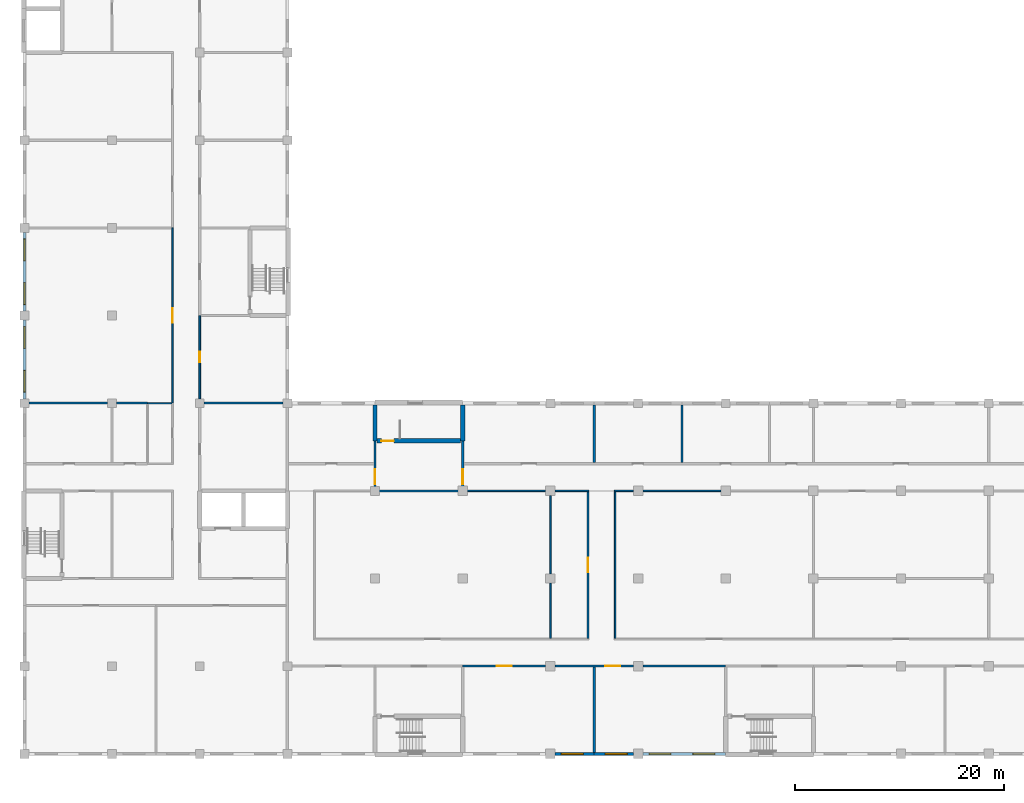
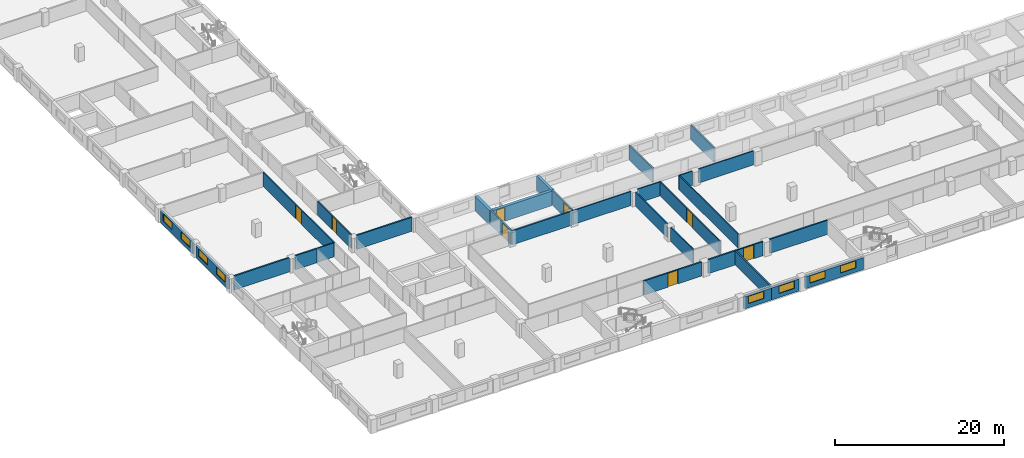
# One storey, part 31 of 48: 31 walls, 8 doors, 8 windows, 16 openings.
"""IFC4 building model written with IfcOpenShell, lengths in metres."""

from ifc_helpers import new_model, si_unit, direction, frame, frame_2d, origin, place, context, subcontext, project, spatial, rectangle, extrude, material, layer, layer_set, type_object, element, fill, save


model = new_model("IFC4")

# Units and contexts
model_context = context("Model", 3, precision=1e-05, world=origin(), true_north=direction((0.0, 1.0)))
body_context = subcontext(model_context, "Body", "Model", "MODEL_VIEW")
ifc_project = project(units=[si_unit("LENGTHUNIT", "METRE"), si_unit("AREAUNIT", "SQUARE_METRE"), si_unit("VOLUMEUNIT", "CUBIC_METRE"), si_unit("PLANEANGLEUNIT", "RADIAN"), si_unit("MASSUNIT", "GRAM", prefix="KILO")], contexts=[model_context])

# Site, building, storey
site_placement = place(None, origin())
site = spatial("IfcSite", under=ifc_project, at=site_placement, CompositionType="ELEMENT")
building_placement = place(site_placement, origin())
building = spatial("IfcBuilding", under=site, at=building_placement, Name="Yavir Park General Hospital", CompositionType="ELEMENT")
storey_placement = place(building_placement, frame((0.0, 0.0, 12.89990234375)))
storey = spatial("IfcBuildingStorey", under=building, at=storey_placement, Name="I02", CompositionType="ELEMENT", Elevation=12.89990234375)

# Wall
ifc_material_1 = material(Name="Double gypsum board fire partition on steel studs", Category="steel")
ifc_layer_1 = layer(ifc_material_1, 0.199951171875)
ifc_layer_set_1 = layer_set([ifc_layer_1], Name="Double gypsum board fire partition on steel studs")
wall_type_1 = type_object("IfcWallType", Name="Fire-rated partition 200, EI 60", PredefinedType="PARTITIONING", material=ifc_layer_set_1)
wall_1_placement = place(storey_placement, frame((33.60009765625, 25.199951171875, 0.0), z_axis=(0.0, 0.0, 1.0), x_axis=(1.0, 0.0, 0.0)))
element("IfcWall", 1, at=wall_1_placement, inside=storey, type_object=wall_type_1, Name="FP20 I02-045", PredefinedType="PARTITIONING", context=body_context, shape_type="SweptSolid", body=[
    extrude(rectangle(XDim=8.39990234375, YDim=0.199951171875, at=frame_2d((4.199951171875, 0.0))), origin(), (0.0, 0.0, 1.0), 2.0400390625),
])

# Wall, opening, door
wall_2_placement = place(storey_placement, frame((33.60009765625, 25.300048828125, 0.0), z_axis=(0.0, 0.0, 1.0), x_axis=(0.0, 1.0, 0.0)))
wall_2 = element("IfcWall", 2, at=wall_2_placement, inside=storey, type_object=wall_type_1, Name="FP20 I02-141", PredefinedType="PARTITIONING", context=body_context, shape_type="SweptSolid", body=[
    extrude(rectangle(XDim=4.699951171875, YDim=0.199951171875, at=frame_2d((2.35009765625, 0.0))), origin(), (0.0, 0.0, 1.0), 2.10009765625),
])
opening_1_placement = place(wall_2_placement, frame((0.550048828125, 0.0, 0.0)))
opening_1 = element("IfcOpeningElement", 3, at=opening_1_placement, cuts=wall_2, Name="Opening I02.D080", PredefinedType="OPENING", context=body_context, shape_type="SweptSolid", body=[
    extrude(rectangle(XDim=1.39990234375, YDim=2.0, at=frame_2d((0.699951171875, 1.0))), frame((0.0, 0.10986328125, 0.0), z_axis=(0.0, -1.0, 0.0), x_axis=(1.0, 0.0, 0.0)), (0.0, 0.0, 1.0), 0.219970703125),
])
ifc_material_2 = material(Name="Steel frame, fire-resisting leaves with vision panels", Category="steel")
door_type_1 = type_object("IfcDoorType", Name="Double fire door with vision panels 1400 x 2000, EI 60", OperationType="DOUBLE_DOOR_SINGLE_SWING", PredefinedType="DOOR", material=ifc_material_2)
door_1_placement = place(opening_1_placement, origin())
door_1 = element("IfcDoor", 4, at=door_1_placement, inside=storey, type_object=door_type_1, Name="I02.D080", OperationType="SINGLE_SWING_LEFT", OverallHeight=2.0, OverallWidth=1.39990234375, PredefinedType="DOOR", context=body_context, shape_type="SweptSolid", body=[
    extrude(rectangle(XDim=1.39990234375, YDim=2.0, at=frame_2d((0.699951171875, 1.0))), frame((0.0, 0.030029296875, 0.0), z_axis=(0.0, -1.0, 0.0), x_axis=(1.0, 0.0, 0.0)), (0.0, 0.0, 1.0), 0.06005859375),
])
fill(opening_1, door_1)

wall_3_placement = place(storey_placement, frame((42.0, 25.300048828125, 0.0), z_axis=(0.0, 0.0, 1.0), x_axis=(0.0, 1.0, 0.0)))
wall_3 = element("IfcWall", 5, at=wall_3_placement, inside=storey, type_object=wall_type_1, Name="FP20 I02-145", PredefinedType="PARTITIONING", context=body_context, shape_type="SweptSolid", body=[
    extrude(rectangle(XDim=4.699951171875, YDim=0.199951171875, at=frame_2d((2.35009765625, 0.0))), origin(), (0.0, 0.0, 1.0), 2.10009765625),
])
opening_2_placement = place(wall_3_placement, frame((0.550048828125, 0.0, 0.0)))
opening_2 = element("IfcOpeningElement", 6, at=opening_2_placement, cuts=wall_3, Name="Opening I02.D081", PredefinedType="OPENING", context=body_context, shape_type="SweptSolid", body=[
    extrude(rectangle(XDim=1.39990234375, YDim=2.0, at=frame_2d((0.699951171875, 1.0))), frame((0.0, 0.10986328125, 0.0), z_axis=(0.0, -1.0, 0.0), x_axis=(1.0, 0.0, 0.0)), (0.0, 0.0, 1.0), 0.219970703125),
])
door_2_placement = place(opening_2_placement, origin())
door_2 = element("IfcDoor", 7, at=door_2_placement, inside=storey, type_object=door_type_1, Name="I02.D081", OperationType="SINGLE_SWING_RIGHT", OverallHeight=2.0, OverallWidth=1.39990234375, PredefinedType="DOOR", context=body_context, shape_type="SweptSolid", body=[
    extrude(rectangle(XDim=1.39990234375, YDim=2.0, at=frame_2d((0.699951171875, 1.0))), frame((0.0, 0.030029296875, 0.0), z_axis=(0.0, -1.0, 0.0), x_axis=(1.0, 0.0, 0.0)), (0.0, 0.0, 1.0), 0.06005859375),
])
fill(opening_2, door_2)

# Walls
ifc_material_3 = material(Name="Gypsum board partition on steel studs", Category="steel")
ifc_layer_2 = layer(ifc_material_3, 0.14990234375)
ifc_layer_set_2 = layer_set([ifc_layer_2], Name="Gypsum board partition on steel studs")
wall_type_2 = type_object("IfcWallType", Name="Gypsum board partition 150", PredefinedType="PARTITIONING", material=ifc_layer_set_2)
wall_4_placement = place(storey_placement, frame((42.0, 25.199951171875, 0.0), z_axis=(0.0, 0.0, 1.0), x_axis=(1.0, 0.0, 0.0)))
element("IfcWall", 8, at=wall_4_placement, inside=storey, type_object=wall_type_2, Name="P15 I02-046", PredefinedType="PARTITIONING", context=body_context, shape_type="SweptSolid", body=[
    extrude(rectangle(XDim=7.949951171875, YDim=0.14990234375, at=frame_2d((3.97509765625, 0.0))), origin(), (0.0, 0.0, 1.0), 2.0400390625),
])
wall_5_placement = place(storey_placement, frame((50.85009765625, 25.199951171875, 0.0), z_axis=(0.0, 0.0, 1.0), x_axis=(1.0, 0.0, 0.0)))
element("IfcWall", 9, at=wall_5_placement, inside=storey, type_object=wall_type_2, Name="P15 I02-047", PredefinedType="PARTITIONING", context=body_context, shape_type="SweptSolid", body=[
    extrude(rectangle(XDim=3.224853515625, YDim=0.14990234375, at=frame_2d((1.6123046875, 0.0))), origin(), (0.0, 0.0, 1.0), 2.0400390625),
])
wall_6_placement = place(storey_placement, frame((56.52490234375, 25.199951171875, 0.0), z_axis=(0.0, 0.0, 1.0), x_axis=(1.0, 0.0, 0.0)))
element("IfcWall", 10, at=wall_6_placement, inside=storey, type_object=wall_type_2, Name="P15 I02-048", PredefinedType="PARTITIONING", context=body_context, shape_type="SweptSolid", body=[
    extrude(rectangle(XDim=1.8251953125, YDim=0.14990234375, at=frame_2d((0.91259765625, 0.0))), origin(), (0.0, 0.0, 1.0), 2.0400390625),
])
wall_7_placement = place(storey_placement, frame((59.25, 25.199951171875, 0.0), z_axis=(0.0, 0.0, 1.0), x_axis=(1.0, 0.0, 0.0)))
element("IfcWall", 11, at=wall_7_placement, inside=storey, type_object=wall_type_2, Name="P15 I02-049", PredefinedType="PARTITIONING", context=body_context, shape_type="SweptSolid", body=[
    extrude(rectangle(XDim=7.5, YDim=0.14990234375, at=frame_2d((3.75, 0.0))), origin(), (0.0, 0.0, 1.0), 2.0400390625),
])

# Wall, opening, door
wall_8_placement = place(storey_placement, frame((14.199951171875, 33.60009765625, 0.0), z_axis=(0.0, 0.0, 1.0), x_axis=(0.0, 1.0, 0.0)))
wall_8 = element("IfcWall", 12, at=wall_8_placement, inside=storey, type_object=wall_type_2, Name="P15 I02-113", PredefinedType="PARTITIONING", context=body_context, shape_type="SweptSolid", body=[
    extrude(rectangle(XDim=16.7998046875, YDim=0.14990234375, at=frame_2d((8.39990234375, 0.0))), origin(), (0.0, 0.0, 1.0), 2.0400390625),
])
opening_3_placement = place(wall_8_placement, frame((7.699951171875, 0.0, 0.0)))
opening_3 = element("IfcOpeningElement", 13, at=opening_3_placement, cuts=wall_8, Name="Opening I02.D057", PredefinedType="OPENING", context=body_context, shape_type="SweptSolid", body=[
    extrude(rectangle(XDim=1.39990234375, YDim=2.0, at=frame_2d((0.699951171875, 1.0))), frame((0.0, 0.0849609375, 0.0), z_axis=(0.0, -1.0, 0.0), x_axis=(1.0, 0.0, 0.0)), (0.0, 0.0, 1.0), 0.169921875),
])
ifc_material_4 = material(Name="Hollow metal frame, solid-core timber leaf", Category="wood")
door_type_2 = type_object("IfcDoorType", Name="Double swing door 1400 x 2000", OperationType="DOUBLE_DOOR_SINGLE_SWING", PredefinedType="DOOR", material=ifc_material_4)
door_3_placement = place(opening_3_placement, origin())
door_3 = element("IfcDoor", 14, at=door_3_placement, inside=storey, type_object=door_type_2, Name="I02.D057", OperationType="SINGLE_SWING_RIGHT", OverallHeight=2.0, OverallWidth=1.39990234375, PredefinedType="DOOR", context=body_context, shape_type="SweptSolid", body=[
    extrude(rectangle(XDim=1.39990234375, YDim=2.0, at=frame_2d((0.699951171875, 1.0))), frame((0.0, 0.02490234375, 0.0), z_axis=(0.0, -1.0, 0.0), x_axis=(1.0, 0.0, 0.0)), (0.0, 0.0, 1.0), 0.050048828125),
])
fill(opening_3, door_3)

wall_9_placement = place(storey_placement, frame((16.800048828125, 34.02490234375, 0.0), z_axis=(0.0, 0.0, 1.0), x_axis=(0.0, 1.0, 0.0)))
wall_9 = element("IfcWall", 15, at=wall_9_placement, inside=storey, type_object=wall_type_2, Name="P15 I02-120", PredefinedType="PARTITIONING", context=body_context, shape_type="SweptSolid", body=[
    extrude(rectangle(XDim=7.97509765625, YDim=0.14990234375, at=frame_2d((3.987548828125, 0.0))), origin(), (0.0, 0.0, 1.0), 2.0400390625),
])
opening_4_placement = place(wall_9_placement, frame((3.487548828125, 0.0, 0.0)))
opening_4 = element("IfcOpeningElement", 16, at=opening_4_placement, cuts=wall_9, Name="Opening I02.D066", PredefinedType="OPENING", context=body_context, shape_type="SweptSolid", body=[
    extrude(rectangle(XDim=1.0, YDim=2.0, at=frame_2d((0.5, 1.0))), frame((0.0, 0.0849609375, 0.0), z_axis=(0.0, -1.0, 0.0), x_axis=(1.0, 0.0, 0.0)), (0.0, 0.0, 1.0), 0.169921875),
])
ifc_material_5 = material(Name="Hollow metal frame, solid-core timber leaf", Category="wood")
door_type_3 = type_object("IfcDoorType", Name="Single swing door 1000 x 2000", OperationType="SINGLE_SWING_LEFT", PredefinedType="DOOR", material=ifc_material_5)
door_4_placement = place(opening_4_placement, origin())
door_4 = element("IfcDoor", 17, at=door_4_placement, inside=storey, type_object=door_type_3, Name="I02.D066", OperationType="SINGLE_SWING_LEFT", OverallHeight=2.0, OverallWidth=1.0, PredefinedType="DOOR", context=body_context, shape_type="SweptSolid", body=[
    extrude(rectangle(XDim=1.0, YDim=2.0, at=frame_2d((0.5, 1.0))), frame((0.0, 0.02490234375, 0.0), z_axis=(0.0, -1.0, 0.0), x_axis=(1.0, 0.0, 0.0)), (0.0, 0.0, 1.0), 0.050048828125),
])
fill(opening_4, door_4)

# Walls
wall_10_placement = place(storey_placement, frame((50.39990234375, 11.074951171875, 0.0), z_axis=(0.0, 0.0, 1.0), x_axis=(0.0, 1.0, 0.0)))
element("IfcWall", 18, at=wall_10_placement, inside=storey, type_object=wall_type_2, Name="P15 I02-147", PredefinedType="PARTITIONING", context=body_context, shape_type="SweptSolid", body=[
    extrude(rectangle(XDim=5.275146484375, YDim=0.14990234375, at=frame_2d((2.6376953125, 0.0))), origin(), (0.0, 0.0, 1.0), 2.0400390625),
])
wall_11_placement = place(storey_placement, frame((50.39990234375, 17.25, 0.0), z_axis=(0.0, 0.0, 1.0), x_axis=(0.0, 1.0, 0.0)))
element("IfcWall", 19, at=wall_11_placement, inside=storey, type_object=wall_type_2, Name="P15 I02-148", PredefinedType="PARTITIONING", context=body_context, shape_type="SweptSolid", body=[
    extrude(rectangle(XDim=7.5, YDim=0.14990234375, at=frame_2d((3.75, 0.0))), origin(), (0.0, 0.0, 1.0), 2.0400390625),
])

# Wall, opening, door
wall_12_placement = place(storey_placement, frame((54.0, 11.074951171875, 0.0), z_axis=(0.0, 0.0, 1.0), x_axis=(0.0, 1.0, 0.0)))
wall_12 = element("IfcWall", 20, at=wall_12_placement, inside=storey, type_object=wall_type_2, Name="P15 I02-149", PredefinedType="PARTITIONING", context=body_context, shape_type="SweptSolid", body=[
    extrude(rectangle(XDim=14.050048828125, YDim=0.14990234375, at=frame_2d((7.02490234375, 0.0))), origin(), (0.0, 0.0, 1.0), 2.0400390625),
])
opening_5_placement = place(wall_12_placement, frame((6.324951171875, 0.0, 0.0)))
opening_5 = element("IfcOpeningElement", 21, at=opening_5_placement, cuts=wall_12, Name="Opening I02.D082", PredefinedType="OPENING", context=body_context, shape_type="SweptSolid", body=[
    extrude(rectangle(XDim=1.39990234375, YDim=2.0, at=frame_2d((0.699951171875, 1.0))), frame((0.0, 0.0849609375, 0.0), z_axis=(0.0, -1.0, 0.0), x_axis=(1.0, 0.0, 0.0)), (0.0, 0.0, 1.0), 0.169921875),
])
door_5_placement = place(opening_5_placement, origin())
door_5 = element("IfcDoor", 22, at=door_5_placement, inside=storey, type_object=door_type_2, Name="I02.D082", OperationType="SINGLE_SWING_RIGHT", OverallHeight=2.0, OverallWidth=1.39990234375, PredefinedType="DOOR", context=body_context, shape_type="SweptSolid", body=[
    extrude(rectangle(XDim=1.39990234375, YDim=2.0, at=frame_2d((0.699951171875, 1.0))), frame((0.0, 0.02490234375, 0.0), z_axis=(0.0, -1.0, 0.0), x_axis=(1.0, 0.0, 0.0)), (0.0, 0.0, 1.0), 0.050048828125),
])
fill(opening_5, door_5)

# Wall
wall_13_placement = place(storey_placement, frame((56.60009765625, 11.074951171875, 0.0), z_axis=(0.0, 0.0, 1.0), x_axis=(0.0, 1.0, 0.0)))
element("IfcWall", 23, at=wall_13_placement, inside=storey, type_object=wall_type_2, Name="P15 I02-152", PredefinedType="PARTITIONING", context=body_context, shape_type="SweptSolid", body=[
    extrude(rectangle(XDim=14.050048828125, YDim=0.14990234375, at=frame_2d((7.02490234375, 0.0))), origin(), (0.0, 0.0, 1.0), 2.0400390625),
])

# Wall, opening, window
ifc_material_6 = material(Name="Insulated sandwich panels on a Steel S355 subframe", Category="steel")
ifc_layer_3 = layer(ifc_material_6, 0.300048828125)
ifc_layer_set_3 = layer_set([ifc_layer_3], Name="Insulated sandwich panels on a Steel S355 subframe")
wall_type_3 = type_object("IfcWallType", Name="Insulated panel service floor wall 300, E 30", PredefinedType="SOLIDWALL", material=ifc_layer_set_3)
wall_14_placement = place(storey_placement, frame((50.85009765625, 0.0, 0.0), z_axis=(0.0, 0.0, 1.0), x_axis=(1.0, 0.0, 0.0)))
wall_14 = element("IfcWall", 24, at=wall_14_placement, inside=storey, type_object=wall_type_3, Name="XW5 I02-010", PredefinedType="SOLIDWALL", context=body_context, shape_type="SweptSolid", body=[
    extrude(rectangle(XDim=3.75, YDim=0.300048828125, at=frame_2d((1.875, 0.0))), origin(), (0.0, 0.0, 1.0), 1.739990234375),
])
opening_6_placement = place(wall_14_placement, frame((0.60009765625, 0.0, 0.60009765625)))
opening_6 = element("IfcOpeningElement", 25, at=opening_6_placement, cuts=wall_14, Name="Opening LV3", PredefinedType="OPENING", context=body_context, shape_type="SweptSolid", body=[
    extrude(rectangle(XDim=2.10009765625, YDim=1.050048828125, at=frame_2d((1.050048828125, 0.52490234375))), frame((0.0, 0.159912109375, 0.0), z_axis=(0.0, -1.0, 0.0), x_axis=(1.0, 0.0, 0.0)), (0.0, 0.0, 1.0), 0.320068359375),
])
ifc_material_7 = material(Name="Anodised aluminium louvre blades in a deep frame", Category="aluminium")
window_type = type_object("IfcWindowType", Name="Interstitial floor louvre 2100 x 1050", PartitioningType="SINGLE_PANEL", PredefinedType="WINDOW", material=ifc_material_7)
window_1_placement = place(opening_6_placement, origin())
window_1 = element("IfcWindow", 26, at=window_1_placement, inside=storey, type_object=window_type, Name="LV3 I02-011", OverallHeight=1.050048828125, OverallWidth=2.10009765625, PartitioningType="SINGLE_PANEL", PredefinedType="WINDOW", context=body_context, shape_type="SweptSolid", body=[
    extrude(rectangle(XDim=2.10009765625, YDim=1.050048828125, at=frame_2d((1.050048828125, 0.52490234375))), frame((0.0, 0.074951171875, 0.0), z_axis=(0.0, -1.0, 0.0), x_axis=(1.0, 0.0, 0.0)), (0.0, 0.0, 1.0), 0.14990234375),
])
fill(opening_6, window_1)

wall_15_placement = place(storey_placement, frame((54.60009765625, 0.0, 0.0), z_axis=(0.0, 0.0, 1.0), x_axis=(1.0, 0.0, 0.0)))
wall_15 = element("IfcWall", 27, at=wall_15_placement, inside=storey, type_object=wall_type_3, Name="XW5 I02-011", PredefinedType="SOLIDWALL", context=body_context, shape_type="SweptSolid", body=[
    extrude(rectangle(XDim=3.75, YDim=0.300048828125, at=frame_2d((1.875, 0.0))), origin(), (0.0, 0.0, 1.0), 1.739990234375),
])
opening_7_placement = place(wall_15_placement, frame((1.050048828125, 0.0, 0.60009765625)))
opening_7 = element("IfcOpeningElement", 28, at=opening_7_placement, cuts=wall_15, Name="Opening LV3", PredefinedType="OPENING", context=body_context, shape_type="SweptSolid", body=[
    extrude(rectangle(XDim=2.10009765625, YDim=1.050048828125, at=frame_2d((1.050048828125, 0.52490234375))), frame((0.0, 0.159912109375, 0.0), z_axis=(0.0, -1.0, 0.0), x_axis=(1.0, 0.0, 0.0)), (0.0, 0.0, 1.0), 0.320068359375),
])
window_2_placement = place(opening_7_placement, origin())
window_2 = element("IfcWindow", 29, at=window_2_placement, inside=storey, type_object=window_type, Name="LV3 I02-012", OverallHeight=1.050048828125, OverallWidth=2.10009765625, PartitioningType="SINGLE_PANEL", PredefinedType="WINDOW", context=body_context, shape_type="SweptSolid", body=[
    extrude(rectangle(XDim=2.10009765625, YDim=1.050048828125, at=frame_2d((1.050048828125, 0.52490234375))), frame((0.0, 0.074951171875, 0.0), z_axis=(0.0, -1.0, 0.0), x_axis=(1.0, 0.0, 0.0)), (0.0, 0.0, 1.0), 0.14990234375),
])
fill(opening_7, window_2)

# Wall, openings, windows
wall_16_placement = place(storey_placement, frame((59.25, 0.0, 0.0), z_axis=(0.0, 0.0, 1.0), x_axis=(1.0, 0.0, 0.0)))
wall_16 = element("IfcWall", 30, at=wall_16_placement, inside=storey, type_object=wall_type_3, Name="XW5 I02-012", PredefinedType="SOLIDWALL", context=body_context, shape_type="SweptSolid", body=[
    extrude(rectangle(XDim=7.949951171875, YDim=0.300048828125, at=frame_2d((3.97509765625, 0.0))), origin(), (0.0, 0.0, 1.0), 1.739990234375),
])
opening_8_placement = place(wall_16_placement, frame((0.60009765625, 0.0, 0.60009765625)))
opening_8 = element("IfcOpeningElement", 31, at=opening_8_placement, cuts=wall_16, Name="Opening LV3", PredefinedType="OPENING", context=body_context, shape_type="SweptSolid", body=[
    extrude(rectangle(XDim=2.10009765625, YDim=1.050048828125, at=frame_2d((1.050048828125, 0.52490234375))), frame((0.0, 0.159912109375, 0.0), z_axis=(0.0, -1.0, 0.0), x_axis=(1.0, 0.0, 0.0)), (0.0, 0.0, 1.0), 0.320068359375),
])
opening_9_placement = place(wall_16_placement, frame((4.800048828125, 0.0, 0.60009765625)))
opening_9 = element("IfcOpeningElement", 32, at=opening_9_placement, cuts=wall_16, Name="Opening LV3", PredefinedType="OPENING", context=body_context, shape_type="SweptSolid", body=[
    extrude(rectangle(XDim=2.10009765625, YDim=1.050048828125, at=frame_2d((1.050048828125, 0.52490234375))), frame((0.0, 0.159912109375, 0.0), z_axis=(0.0, -1.0, 0.0), x_axis=(1.0, 0.0, 0.0)), (0.0, 0.0, 1.0), 0.320068359375),
])
window_3_placement = place(opening_8_placement, origin())
window_3 = element("IfcWindow", 33, at=window_3_placement, inside=storey, type_object=window_type, Name="LV3 I02-013", OverallHeight=1.050048828125, OverallWidth=2.10009765625, PartitioningType="SINGLE_PANEL", PredefinedType="WINDOW", context=body_context, shape_type="SweptSolid", body=[
    extrude(rectangle(XDim=2.10009765625, YDim=1.050048828125, at=frame_2d((1.050048828125, 0.52490234375))), frame((0.0, 0.074951171875, 0.0), z_axis=(0.0, -1.0, 0.0), x_axis=(1.0, 0.0, 0.0)), (0.0, 0.0, 1.0), 0.14990234375),
])
fill(opening_8, window_3)
window_4_placement = place(opening_9_placement, origin())
window_4 = element("IfcWindow", 34, at=window_4_placement, inside=storey, type_object=window_type, Name="LV3 I02-014", OverallHeight=1.050048828125, OverallWidth=2.10009765625, PartitioningType="SINGLE_PANEL", PredefinedType="WINDOW", context=body_context, shape_type="SweptSolid", body=[
    extrude(rectangle(XDim=2.10009765625, YDim=1.050048828125, at=frame_2d((1.050048828125, 0.52490234375))), frame((0.0, 0.074951171875, 0.0), z_axis=(0.0, -1.0, 0.0), x_axis=(1.0, 0.0, 0.0)), (0.0, 0.0, 1.0), 0.14990234375),
])
fill(opening_9, window_4)

wall_17_placement = place(storey_placement, frame((0.0, 34.02490234375, 0.0), z_axis=(0.0, 0.0, 1.0), x_axis=(0.0, 1.0, 0.0)))
wall_17 = element("IfcWall", 35, at=wall_17_placement, inside=storey, type_object=wall_type_3, Name="XW5 I02-078", PredefinedType="SOLIDWALL", context=body_context, shape_type="SweptSolid", body=[
    extrude(rectangle(XDim=7.550048828125, YDim=0.300048828125, at=frame_2d((3.77490234375, 0.0))), origin(), (0.0, 0.0, 1.0), 1.739990234375),
])
opening_10_placement = place(wall_17_placement, frame((0.625, 0.0, 0.60009765625)))
opening_10 = element("IfcOpeningElement", 36, at=opening_10_placement, cuts=wall_17, Name="Opening LV3", PredefinedType="OPENING", context=body_context, shape_type="SweptSolid", body=[
    extrude(rectangle(XDim=2.10009765625, YDim=1.050048828125, at=frame_2d((1.050048828125, 0.52490234375))), frame((0.0, 0.159912109375, 0.0), z_axis=(0.0, -1.0, 0.0), x_axis=(1.0, 0.0, 0.0)), (0.0, 0.0, 1.0), 0.320068359375),
])
opening_11_placement = place(wall_17_placement, frame((4.824951171875, 0.0, 0.60009765625)))
opening_11 = element("IfcOpeningElement", 37, at=opening_11_placement, cuts=wall_17, Name="Opening LV3", PredefinedType="OPENING", context=body_context, shape_type="SweptSolid", body=[
    extrude(rectangle(XDim=2.10009765625, YDim=1.050048828125, at=frame_2d((1.050048828125, 0.52490234375))), frame((0.0, 0.159912109375, 0.0), z_axis=(0.0, -1.0, 0.0), x_axis=(1.0, 0.0, 0.0)), (0.0, 0.0, 1.0), 0.320068359375),
])
window_5_placement = place(opening_10_placement, origin())
window_5 = element("IfcWindow", 38, at=window_5_placement, inside=storey, type_object=window_type, Name="LV3 I02-067", OverallHeight=1.050048828125, OverallWidth=2.10009765625, PartitioningType="SINGLE_PANEL", PredefinedType="WINDOW", context=body_context, shape_type="SweptSolid", body=[
    extrude(rectangle(XDim=2.10009765625, YDim=1.050048828125, at=frame_2d((1.050048828125, 0.52490234375))), frame((0.0, 0.074951171875, 0.0), z_axis=(0.0, -1.0, 0.0), x_axis=(1.0, 0.0, 0.0)), (0.0, 0.0, 1.0), 0.14990234375),
])
fill(opening_10, window_5)
window_6_placement = place(opening_11_placement, origin())
window_6 = element("IfcWindow", 39, at=window_6_placement, inside=storey, type_object=window_type, Name="LV3 I02-068", OverallHeight=1.050048828125, OverallWidth=2.10009765625, PartitioningType="SINGLE_PANEL", PredefinedType="WINDOW", context=body_context, shape_type="SweptSolid", body=[
    extrude(rectangle(XDim=2.10009765625, YDim=1.050048828125, at=frame_2d((1.050048828125, 0.52490234375))), frame((0.0, 0.074951171875, 0.0), z_axis=(0.0, -1.0, 0.0), x_axis=(1.0, 0.0, 0.0)), (0.0, 0.0, 1.0), 0.14990234375),
])
fill(opening_11, window_6)

wall_18_placement = place(storey_placement, frame((0.0, 42.425048828125, 0.0), z_axis=(0.0, 0.0, 1.0), x_axis=(0.0, 1.0, 0.0)))
wall_18 = element("IfcWall", 40, at=wall_18_placement, inside=storey, type_object=wall_type_3, Name="XW5 I02-079", PredefinedType="SOLIDWALL", context=body_context, shape_type="SweptSolid", body=[
    extrude(rectangle(XDim=7.550048828125, YDim=0.300048828125, at=frame_2d((3.77490234375, 0.0))), origin(), (0.0, 0.0, 1.0), 1.739990234375),
])
opening_12_placement = place(wall_18_placement, frame((0.625, 0.0, 0.60009765625)))
opening_12 = element("IfcOpeningElement", 41, at=opening_12_placement, cuts=wall_18, Name="Opening LV3", PredefinedType="OPENING", context=body_context, shape_type="SweptSolid", body=[
    extrude(rectangle(XDim=2.10009765625, YDim=1.050048828125, at=frame_2d((1.050048828125, 0.52490234375))), frame((0.0, 0.159912109375, 0.0), z_axis=(0.0, -1.0, 0.0), x_axis=(1.0, 0.0, 0.0)), (0.0, 0.0, 1.0), 0.320068359375),
])
opening_13_placement = place(wall_18_placement, frame((4.824951171875, 0.0, 0.60009765625)))
opening_13 = element("IfcOpeningElement", 42, at=opening_13_placement, cuts=wall_18, Name="Opening LV3", PredefinedType="OPENING", context=body_context, shape_type="SweptSolid", body=[
    extrude(rectangle(XDim=2.10009765625, YDim=1.050048828125, at=frame_2d((1.050048828125, 0.52490234375))), frame((0.0, 0.159912109375, 0.0), z_axis=(0.0, -1.0, 0.0), x_axis=(1.0, 0.0, 0.0)), (0.0, 0.0, 1.0), 0.320068359375),
])
window_7_placement = place(opening_12_placement, origin())
window_7 = element("IfcWindow", 43, at=window_7_placement, inside=storey, type_object=window_type, Name="LV3 I02-069", OverallHeight=1.050048828125, OverallWidth=2.10009765625, PartitioningType="SINGLE_PANEL", PredefinedType="WINDOW", context=body_context, shape_type="SweptSolid", body=[
    extrude(rectangle(XDim=2.10009765625, YDim=1.050048828125, at=frame_2d((1.050048828125, 0.52490234375))), frame((0.0, 0.074951171875, 0.0), z_axis=(0.0, -1.0, 0.0), x_axis=(1.0, 0.0, 0.0)), (0.0, 0.0, 1.0), 0.14990234375),
])
fill(opening_12, window_7)
window_8_placement = place(opening_13_placement, origin())
window_8 = element("IfcWindow", 44, at=window_8_placement, inside=storey, type_object=window_type, Name="LV3 I02-070", OverallHeight=1.050048828125, OverallWidth=2.10009765625, PartitioningType="SINGLE_PANEL", PredefinedType="WINDOW", context=body_context, shape_type="SweptSolid", body=[
    extrude(rectangle(XDim=2.10009765625, YDim=1.050048828125, at=frame_2d((1.050048828125, 0.52490234375))), frame((0.0, 0.074951171875, 0.0), z_axis=(0.0, -1.0, 0.0), x_axis=(1.0, 0.0, 0.0)), (0.0, 0.0, 1.0), 0.14990234375),
])
fill(opening_13, window_8)

# Wall, opening, door
ifc_material_8 = material(Name="Clay block masonry infill", Category="masonry")
ifc_layer_4 = layer(ifc_material_8, 0.199951171875)
ifc_layer_set_4 = layer_set([ifc_layer_4], Name="Clay block masonry infill")
wall_type_4 = type_object("IfcWallType", Name="Masonry infill wall 200", PredefinedType="SOLIDWALL", material=ifc_layer_set_4)
wall_19_placement = place(storey_placement, frame((42.0, 8.39990234375, 0.0), z_axis=(0.0, 0.0, 1.0), x_axis=(1.0, 0.0, 0.0)))
wall_19 = element("IfcWall", 45, at=wall_19_placement, inside=storey, type_object=wall_type_4, Name="MW20 I02-007", PredefinedType="SOLIDWALL", context=body_context, shape_type="SweptSolid", body=[
    extrude(rectangle(XDim=7.949951171875, YDim=0.199951171875, at=frame_2d((3.97509765625, 0.0))), origin(), (0.0, 0.0, 1.0), 2.0400390625),
])
opening_14_placement = place(wall_19_placement, frame((3.27490234375, 0.0, 0.0)))
opening_14 = element("IfcOpeningElement", 46, at=opening_14_placement, cuts=wall_19, Name="Opening I02.D007", PredefinedType="OPENING", context=body_context, shape_type="SweptSolid", body=[
    extrude(rectangle(XDim=1.39990234375, YDim=2.0, at=frame_2d((0.699951171875, 1.0))), frame((0.0, 0.10986328125, 0.0), z_axis=(0.0, -1.0, 0.0), x_axis=(1.0, 0.0, 0.0)), (0.0, 0.0, 1.0), 0.219970703125),
])
door_6_placement = place(opening_14_placement, origin())
door_6 = element("IfcDoor", 47, at=door_6_placement, inside=storey, type_object=door_type_2, Name="I02.D007", OperationType="SINGLE_SWING_LEFT", OverallHeight=2.0, OverallWidth=1.39990234375, PredefinedType="DOOR", context=body_context, shape_type="SweptSolid", body=[
    extrude(rectangle(XDim=1.39990234375, YDim=2.0, at=frame_2d((0.699951171875, 1.0))), frame((0.0, 0.02490234375, 0.0), z_axis=(0.0, -1.0, 0.0), x_axis=(1.0, 0.0, 0.0)), (0.0, 0.0, 1.0), 0.050048828125),
])
fill(opening_14, door_6)

wall_20_placement = place(storey_placement, frame((50.85009765625, 8.39990234375, 0.0), z_axis=(0.0, 0.0, 1.0), x_axis=(1.0, 0.0, 0.0)))
wall_20 = element("IfcWall", 48, at=wall_20_placement, inside=storey, type_object=wall_type_4, Name="MW20 I02-008", PredefinedType="SOLIDWALL", context=body_context, shape_type="SweptSolid", body=[
    extrude(rectangle(XDim=7.5, YDim=0.199951171875, at=frame_2d((3.75, 0.0))), origin(), (0.0, 0.0, 1.0), 2.0400390625),
])
opening_15_placement = place(wall_20_placement, frame((4.824951171875, 0.0, 0.0)))
opening_15 = element("IfcOpeningElement", 49, at=opening_15_placement, cuts=wall_20, Name="Opening I02.D008", PredefinedType="OPENING", context=body_context, shape_type="SweptSolid", body=[
    extrude(rectangle(XDim=1.39990234375, YDim=2.0, at=frame_2d((0.699951171875, 1.0))), frame((0.0, 0.10986328125, 0.0), z_axis=(0.0, -1.0, 0.0), x_axis=(1.0, 0.0, 0.0)), (0.0, 0.0, 1.0), 0.219970703125),
])
door_7_placement = place(opening_15_placement, origin())
door_7 = element("IfcDoor", 50, at=door_7_placement, inside=storey, type_object=door_type_2, Name="I02.D008", OperationType="SINGLE_SWING_LEFT", OverallHeight=2.0, OverallWidth=1.39990234375, PredefinedType="DOOR", context=body_context, shape_type="SweptSolid", body=[
    extrude(rectangle(XDim=1.39990234375, YDim=2.0, at=frame_2d((0.699951171875, 1.0))), frame((0.0, 0.02490234375, 0.0), z_axis=(0.0, -1.0, 0.0), x_axis=(1.0, 0.0, 0.0)), (0.0, 0.0, 1.0), 0.050048828125),
])
fill(opening_15, door_7)

# Walls
wall_21_placement = place(storey_placement, frame((59.25, 8.39990234375, 0.0), z_axis=(0.0, 0.0, 1.0), x_axis=(1.0, 0.0, 0.0)))
element("IfcWall", 51, at=wall_21_placement, inside=storey, type_object=wall_type_4, Name="MW20 I02-009", PredefinedType="SOLIDWALL", context=body_context, shape_type="SweptSolid", body=[
    extrude(rectangle(XDim=7.949951171875, YDim=0.199951171875, at=frame_2d((3.97509765625, 0.0))), origin(), (0.0, 0.0, 1.0), 2.0400390625),
])
wall_22_placement = place(storey_placement, frame((0.425048828125, 33.60009765625, 0.0), z_axis=(0.0, 0.0, 1.0), x_axis=(1.0, 0.0, 0.0)))
element("IfcWall", 52, at=wall_22_placement, inside=storey, type_object=wall_type_4, Name="MW20 I02-070", PredefinedType="SOLIDWALL", context=body_context, shape_type="SweptSolid", body=[
    extrude(rectangle(XDim=7.550048828125, YDim=0.199951171875, at=frame_2d((3.77490234375, 0.0))), origin(), (0.0, 0.0, 1.0), 2.0400390625),
])
wall_23_placement = place(storey_placement, frame((8.824951171875, 33.60009765625, 0.0), z_axis=(0.0, 0.0, 1.0), x_axis=(1.0, 0.0, 0.0)))
element("IfcWall", 53, at=wall_23_placement, inside=storey, type_object=wall_type_4, Name="MW20 I02-071", PredefinedType="SOLIDWALL", context=body_context, shape_type="SweptSolid", body=[
    extrude(rectangle(XDim=2.97509765625, YDim=0.199951171875, at=frame_2d((1.487548828125, 0.0))), origin(), (0.0, 0.0, 1.0), 2.0400390625),
])
wall_24_placement = place(storey_placement, frame((17.22509765625, 33.60009765625, 0.0), z_axis=(0.0, 0.0, 1.0), x_axis=(1.0, 0.0, 0.0)))
element("IfcWall", 54, at=wall_24_placement, inside=storey, type_object=wall_type_4, Name="MW20 I02-073", PredefinedType="SOLIDWALL", context=body_context, shape_type="SweptSolid", body=[
    extrude(rectangle(XDim=7.5498046875, YDim=0.199951171875, at=frame_2d((3.77490234375, 0.0))), origin(), (0.0, 0.0, 1.0), 2.0400390625),
])
wall_25_placement = place(storey_placement, frame((54.60009765625, 0.14990234375, 0.0), z_axis=(0.0, 0.0, 1.0), x_axis=(0.0, 1.0, 0.0)))
element("IfcWall", 55, at=wall_25_placement, inside=storey, type_object=wall_type_4, Name="MW20 I02-150", PredefinedType="SOLIDWALL", context=body_context, shape_type="SweptSolid", body=[
    extrude(rectangle(XDim=8.150146484375, YDim=0.199951171875, at=frame_2d((4.0751953125, 0.0))), origin(), (0.0, 0.0, 1.0), 2.0400390625),
])
for number, where, z_axis, x_axis, name in (
    (56, (54.60009765625, 27.89990234375, 0.0), (0.0, 0.0, 1.0), (0.0, 1.0, 0.0), "MW20 I02-151"),
    (57, (63.0, 27.89990234375, 0.0), (0.0, 0.0, 1.0), (0.0, 1.0, 0.0), "MW20 I02-153"),
):
    element("IfcWall", number, at=place(storey_placement, frame(where, z_axis=z_axis, x_axis=x_axis)), inside=storey, type_object=wall_type_4, Name=name, PredefinedType="SOLIDWALL", context=body_context, shape_type="SweptSolid", body=[
        extrude(rectangle(XDim=5.550048828125, YDim=0.199951171875, at=frame_2d((2.77490234375, 0.0))), origin(), (0.0, 0.0, 1.0), 2.10009765625),
    ])

# Wall, opening, door
ifc_material_9 = material(Name="Concrete C35/45", Category="concrete")
ifc_layer_5 = layer(ifc_material_9, 0.39990234375)
ifc_layer_set_5 = layer_set([ifc_layer_5], Name="Concrete C35/45")
wall_type_5 = type_object("IfcWallType", Name="Reinforced concrete core wall 400, REI 150", PredefinedType="SHEAR", material=ifc_layer_set_5)
wall_26_placement = place(storey_placement, frame((33.800048828125, 30.0, 0.0), z_axis=(0.0, 0.0, 1.0), x_axis=(1.0, 0.0, 0.0)))
wall_26 = element("IfcWall", 58, at=wall_26_placement, inside=storey, type_object=wall_type_5, Name="CW40 I02-068", PredefinedType="SHEAR", context=body_context, shape_type="SweptSolid", body=[
    extrude(rectangle(XDim=8.0, YDim=0.39990234375, at=frame_2d((4.0, 0.0))), origin(), (0.0, 0.0, 1.0), 2.10009765625),
])
opening_16_placement = place(wall_26_placement, frame((0.39990234375, 0.0, 0.0)))
opening_16 = element("IfcOpeningElement", 59, at=opening_16_placement, cuts=wall_26, Name="Opening I02.D051", PredefinedType="OPENING", context=body_context, shape_type="SweptSolid", body=[
    extrude(rectangle(XDim=1.199951171875, YDim=2.0, at=frame_2d((0.60009765625, 1.0))), frame((0.0, 0.2099609375, 0.0), z_axis=(0.0, -1.0, 0.0), x_axis=(1.0, 0.0, 0.0)), (0.0, 0.0, 1.0), 0.419921875),
])
ifc_material_10 = material(Name="Steel frame, fire-resisting timber leaf", Category="steel")
door_type_4 = type_object("IfcDoorType", Name="Fire door 1200 x 2000, EI 60", OperationType="SINGLE_SWING_LEFT", PredefinedType="DOOR", material=ifc_material_10)
door_8_placement = place(opening_16_placement, origin())
door_8 = element("IfcDoor", 60, at=door_8_placement, inside=storey, type_object=door_type_4, Name="I02.D051", OperationType="SINGLE_SWING_RIGHT", OverallHeight=2.0, OverallWidth=1.199951171875, PredefinedType="DOOR", context=body_context, shape_type="SweptSolid", body=[
    extrude(rectangle(XDim=1.199951171875, YDim=2.0, at=frame_2d((0.60009765625, 1.0))), frame((0.0, 0.02490234375, 0.0), z_axis=(0.0, -1.0, 0.0), x_axis=(1.0, 0.0, 0.0)), (0.0, 0.0, 1.0), 0.050048828125),
])
fill(opening_16, door_8)

# Walls
for number, where, z_axis, x_axis, name in (
    (61, (33.60009765625, 30.0, 0.0), (0.0, 0.0, 1.0), (0.0, 1.0, 0.0), "CW40 I02-142"),
    (62, (42.0, 30.0, 0.0), (0.0, 0.0, 1.0), (0.0, 1.0, 0.0), "CW40 I02-146"),
):
    element("IfcWall", number, at=place(storey_placement, frame(where, z_axis=z_axis, x_axis=x_axis)), inside=storey, type_object=wall_type_5, Name=name, PredefinedType="SHEAR", context=body_context, shape_type="SweptSolid", body=[
        extrude(rectangle(XDim=3.449951171875, YDim=0.39990234375, at=frame_2d((1.72509765625, 0.0))), origin(), (0.0, 0.0, 1.0), 2.10009765625),
    ])
ifc_material_11 = material(Name="Gypsum shaft wall system on steel studs", Category="steel")
ifc_layer_6 = layer(ifc_material_11, 0.125)
ifc_layer_set_6 = layer_set([ifc_layer_6], Name="Gypsum shaft wall system on steel studs")
wall_type_6 = type_object("IfcWallType", Name="Shaft wall 125, EI 90", PredefinedType="SOLIDWALL", material=ifc_layer_set_6)
wall_27_placement = place(storey_placement, frame((11.800048828125, 33.60009765625, 0.0), z_axis=(0.0, 0.0, 1.0), x_axis=(1.0, 0.0, 0.0)))
element("IfcWall", 63, at=wall_27_placement, inside=storey, type_object=wall_type_6, Name="SW125 I02-072", PredefinedType="SOLIDWALL", context=body_context, shape_type="SweptSolid", body=[
    extrude(rectangle(XDim=2.324951171875, YDim=0.125, at=frame_2d((1.16259765625, 0.0))), origin(), (0.0, 0.0, 1.0), 2.0400390625),
])

save(model, "model.ifc")
